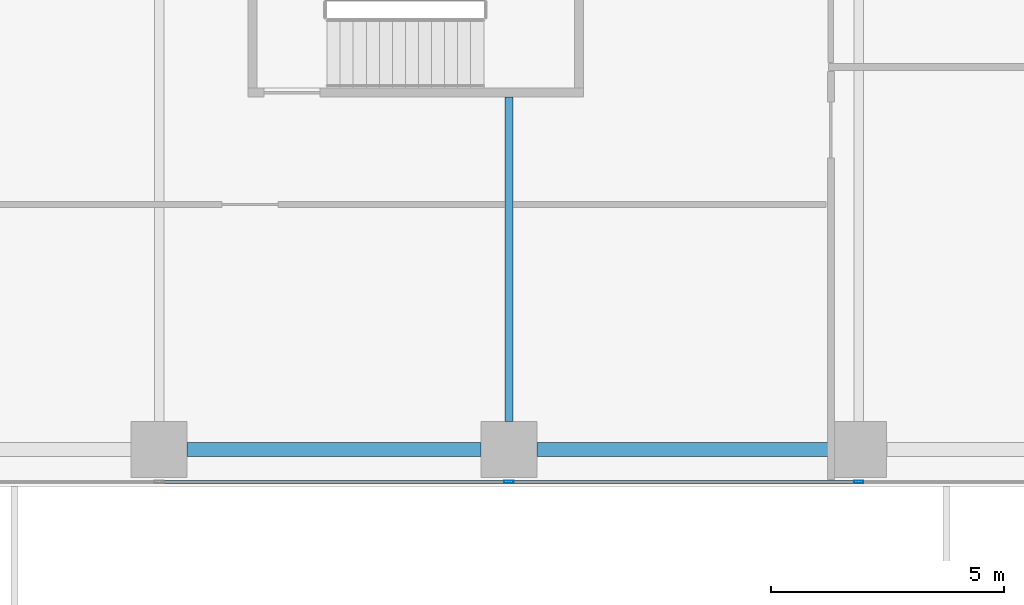
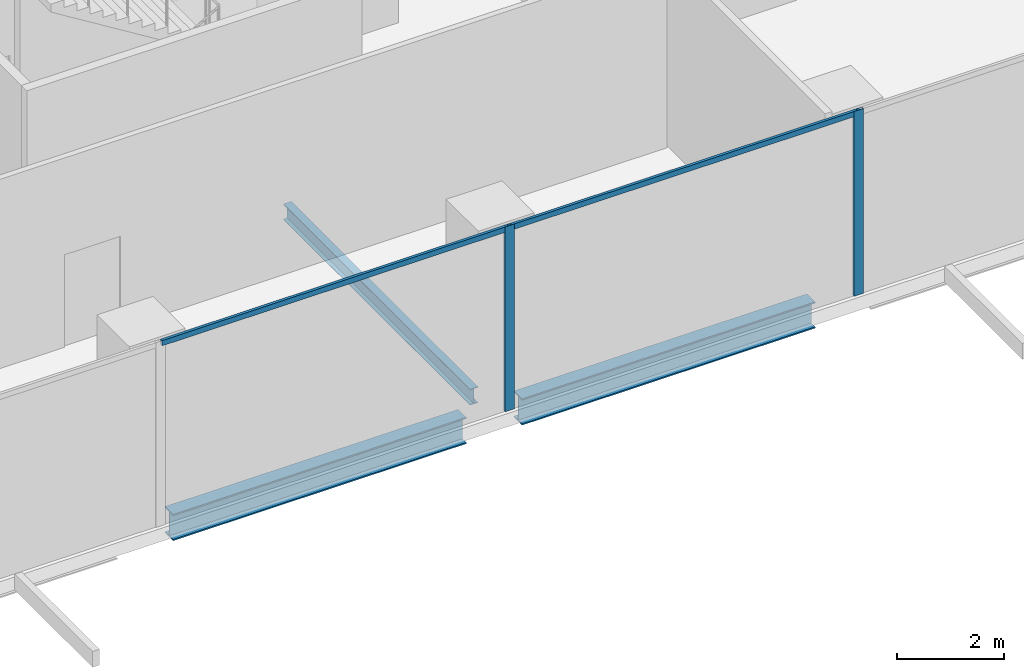
# One storey, part 3 of 33: 4 members, 3 beams, 1 element without a shape of its own.
"""IFC4 building model written with IfcOpenShell, lengths in metres."""

from ifc_helpers import new_model, si_unit, direction, frame, origin, origin_2d, place, context, subcontext, project, spatial, hollow_rectangle, i_section, extrude, source, transform, mapped, material, material_profile, profile_set, type_object, element, aggregate, save


model = new_model("IFC4")

# Units and contexts
model_context = context("Model", 3, precision=1e-05, world=origin(), true_north=direction((0.0, 1.0)))
body_context = subcontext(model_context, "Body", "Model", "MODEL_VIEW")
ifc_project = project(units=[si_unit("LENGTHUNIT", "METRE"), si_unit("AREAUNIT", "SQUARE_METRE"), si_unit("VOLUMEUNIT", "CUBIC_METRE"), si_unit("PLANEANGLEUNIT", "RADIAN"), si_unit("MASSUNIT", "GRAM", prefix="KILO")], contexts=[model_context])

# Site, building, storey
site_placement = place(None, origin())
site = spatial("IfcSite", under=ifc_project, at=site_placement, CompositionType="ELEMENT")
building_placement = place(site_placement, origin())
building = spatial("IfcBuilding", under=site, at=building_placement, Name="Khomas Fold Tower", CompositionType="ELEMENT")
storey_placement = place(building_placement, frame((0.0, 0.0, 78.0)))
storey = spatial("IfcBuildingStorey", under=building, at=storey_placement, Name="L16", CompositionType="ELEMENT", Elevation=78.0)

# Beams
ifc_material_1 = material(Name="Steel S355", Category="steel")
ifc_material_profile_1 = material_profile(ifc_material_1, i_section(OverallWidth=0.169921875, OverallDepth=0.360107421875, WebThickness=0.008056640625, FlangeThickness=0.0126953125, at=origin_2d()), Name="IPE 360")
ifc_profile_set_1 = profile_set([ifc_material_profile_1], Name="Steel S355")
beam_type_1 = type_object("IfcBeamType", Name="IPE 360 beam JB2", PredefinedType="BEAM", material=ifc_profile_set_1)
shared_shape_1 = source(origin(), body_context, "Body", "SweptSolid", [
    extrude(i_section(OverallWidth=0.169921875, OverallDepth=0.360107421875, WebThickness=0.008056640625, FlangeThickness=0.0126953125, at=origin_2d()), origin(), (0.0, 0.0, 1.0), 6.9501953125),
])
beam_placement = place(storey_placement, frame((19.5, 1.39990234375, -0.47998046875), z_axis=(0.0, 1.0, 0.0), x_axis=(-1.0, 0.0, 0.0)))
element("IfcBeam", 1, at=beam_placement, inside=storey, type_object=beam_type_1, Name="JB2", PredefinedType="BEAM", context=body_context, shape_type="MappedRepresentation", body=[
    mapped(shared_shape_1, transform((0.0, 0.0, 0.0))),
])
ifc_material_2 = material(Name="Steel S355", Category="steel")
ifc_material_profile_2 = material_profile(ifc_material_2, i_section(OverallWidth=0.300048828125, OverallDepth=0.60009765625, WebThickness=0.015380859375, FlangeThickness=0.030029296875, at=origin_2d()), Name="HE 600 B")
ifc_profile_set_2 = profile_set([ifc_material_profile_2], Name="Steel S355")
beam_type_2 = type_object("IfcBeamType", Name="HE 600 B spandrel SB1", PredefinedType="SPANDREL", material=ifc_profile_set_2)
shared_shape_2 = source(origin(), body_context, "Body", "SweptSolid", [
    extrude(i_section(OverallWidth=0.300048828125, OverallDepth=0.60009765625, WebThickness=0.015380859375, FlangeThickness=0.030029296875, at=origin_2d()), origin(), (0.0, 0.0, 1.0), 6.2998046875),
])
for number, where, z_axis, x_axis, name in (
    (2, (12.60009765625, 0.800048828125, -0.60009765625), (1.0, 0.0, 0.0), (0.0, 1.0, 0.0), "SB1"),
    (3, (20.10009765625, 0.800048828125, -0.60009765625), (1.0, 0.0, 0.0), (0.0, 1.0, 0.0), "SB1"),
):
    element("IfcBeam", number, at=place(storey_placement, frame(where, z_axis=z_axis, x_axis=x_axis)), inside=storey, type_object=beam_type_2, Name=name, PredefinedType="SPANDREL", context=body_context, shape_type="MappedRepresentation", body=[
        mapped(shared_shape_2, transform((0.0, 0.0, 0.0))),
    ])

# Curtain wall, members
ifc_material_3 = material(Name="Aluminium framed double glazing", Category="aluminium")
curtain_wall_type = type_object("IfcCurtainWallType", Name="SK-Unitised clear-glass wall, growing floors CW1", PredefinedType="NOTDEFINED", material=ifc_material_3)
curtain_wall_placement = place(storey_placement, origin())
curtain_wall = element("IfcCurtainWall", 4, at=curtain_wall_placement, inside=storey, type_object=curtain_wall_type, Name="CW1 run L16 00-0", PredefinedType="NOTDEFINED")
ifc_material_4 = material(Name="Aluminium", Category="aluminium")
ifc_material_profile_3 = material_profile(ifc_material_4, hollow_rectangle(XDim=0.06005859375, YDim=0.1201171875, WallThickness=0.00390625, at=origin_2d()), Name="SK-Unitised clear-glass wall, growing floors transom CW1-T")
ifc_profile_set_3 = profile_set([ifc_material_profile_3], Name="Aluminium")
member_type_1 = type_object("IfcMemberType", Name="SK-Unitised clear-glass wall, growing floors transom CW1-T", PredefinedType="USERDEFINED", material=ifc_profile_set_3)
shared_shape_3 = source(origin(), body_context, "Body", "SweptSolid", [
    extrude(hollow_rectangle(XDim=0.06005859375, YDim=0.1201171875, WallThickness=0.00390625, at=origin_2d()), origin(), (0.0, 0.0, 1.0), 7.43994140625),
])
member_1_placement = place(storey_placement, frame((12.030029296875, 0.10009765625, 4.139892578125), z_axis=(1.0, 0.0, 0.0), x_axis=(0.0, 1.0, 0.0)))
member_1 = element("IfcMember", 5, at=member_1_placement, type_object=member_type_1, Name="CW1 transom 3", ObjectType="TRANSOM", PredefinedType="USERDEFINED", context=body_context, shape_type="MappedRepresentation", body=[
    mapped(shared_shape_3, transform((0.0, 0.0, 0.0))),
])
member_2_placement = place(storey_placement, frame((19.530029296875, 0.10009765625, 4.139892578125), z_axis=(1.0, 0.0, 0.0), x_axis=(0.0, 1.0, 0.0)))
member_2 = element("IfcMember", 6, at=member_2_placement, type_object=member_type_1, Name="CW1 transom 4", ObjectType="TRANSOM", PredefinedType="USERDEFINED", context=body_context, shape_type="MappedRepresentation", body=[
    mapped(shared_shape_3, transform((0.0, 0.0, 0.0))),
])
ifc_material_5 = material(Name="Aluminium", Category="aluminium")
ifc_material_profile_4 = material_profile(ifc_material_5, hollow_rectangle(XDim=0.06005859375, YDim=0.199951171875, WallThickness=0.00390625, at=origin_2d()), Name="SK-Unitised clear-glass wall, growing floors mullion CW1-M")
ifc_profile_set_4 = profile_set([ifc_material_profile_4], Name="Aluminium")
member_type_2 = type_object("IfcMemberType", Name="SK-Unitised clear-glass wall, growing floors mullion CW1-M", PredefinedType="MULLION", material=ifc_profile_set_4)
shared_shape_4 = source(origin(), body_context, "Body", "SweptSolid", [
    extrude(hollow_rectangle(XDim=0.06005859375, YDim=0.199951171875, WallThickness=0.00390625, at=origin_2d()), origin(), (0.0, 0.0, 1.0), 4.199951171875),
])
member_3_placement = place(storey_placement, frame((19.5, 0.10009765625, 0.0), z_axis=(0.0, 0.0, 1.0), x_axis=(0.0, 1.0, 0.0)))
member_3 = element("IfcMember", 7, at=member_3_placement, type_object=member_type_2, Name="CW1 mullion 4", PredefinedType="MULLION", context=body_context, shape_type="MappedRepresentation", body=[
    mapped(shared_shape_4, transform((0.0, 0.0, 0.0))),
])
member_4_placement = place(storey_placement, frame((27.0, 0.10009765625, 0.0), z_axis=(0.0, 0.0, 1.0), x_axis=(0.0, 1.0, 0.0)))
member_4 = element("IfcMember", 8, at=member_4_placement, type_object=member_type_2, Name="CW1 mullion 5", PredefinedType="MULLION", context=body_context, shape_type="MappedRepresentation", body=[
    mapped(shared_shape_4, transform((0.0, 0.0, 0.0))),
])
aggregate(curtain_wall, [member_3, member_4, member_1, member_2])

save(model, "model.ifc")
